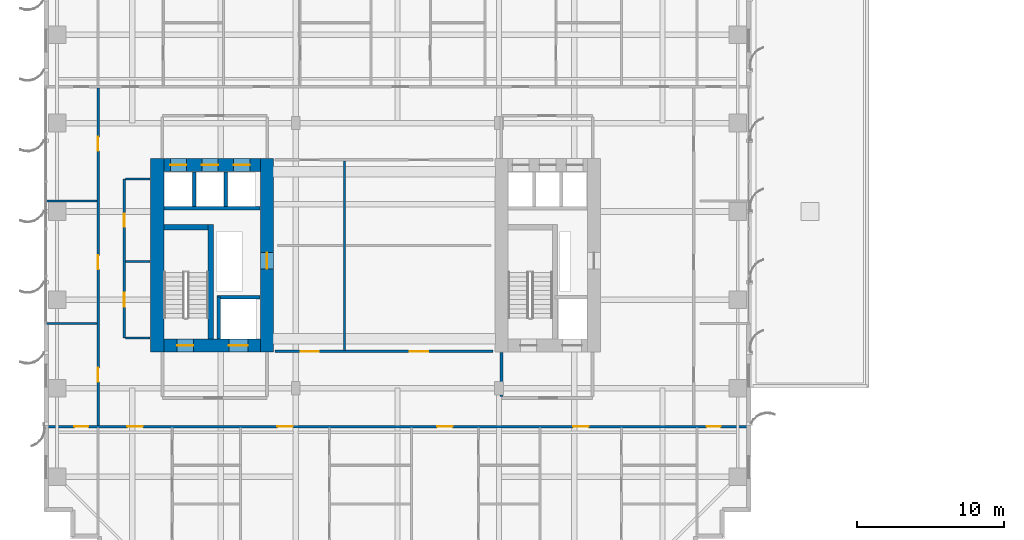
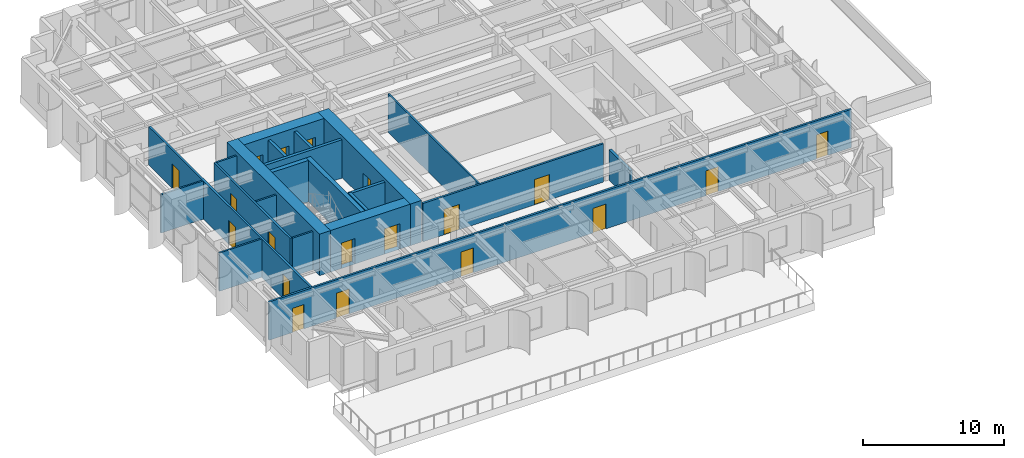
# One storey, part 12 of 21: 22 walls, 19 doors, 19 openings.
"""IFC4 building model written with IfcOpenShell, lengths in metres."""

from ifc_helpers import new_model, si_unit, direction, frame, frame_2d, origin, place, context, subcontext, project, spatial, rectangle, extrude, source, transform, mapped, material, layer, layer_set, type_object, element, fill, save


model = new_model("IFC4")

# Units and contexts
model_context = context("Model", 3, precision=1e-05, world=origin(), true_north=direction((0.0, 1.0)))
body_context = subcontext(model_context, "Body", "Model", "MODEL_VIEW")
ifc_project = project(units=[si_unit("LENGTHUNIT", "METRE"), si_unit("AREAUNIT", "SQUARE_METRE"), si_unit("VOLUMEUNIT", "CUBIC_METRE"), si_unit("PLANEANGLEUNIT", "RADIAN"), si_unit("MASSUNIT", "GRAM", prefix="KILO")], contexts=[model_context])

# Site, building, storey
site_placement = place(None, origin())
site = spatial("IfcSite", under=ifc_project, at=site_placement, CompositionType="ELEMENT")
building_placement = place(site_placement, origin())
building = spatial("IfcBuilding", under=site, at=building_placement, Name="Khoralis Quay Care Tower", CompositionType="ELEMENT")
storey_placement = place(building_placement, frame((0.0, 0.0, 22.5)))
storey = spatial("IfcBuildingStorey", under=building, at=storey_placement, Name="L05", CompositionType="ELEMENT", Elevation=22.5)

# Walls
ifc_material_1 = material(Name="Gypsum plasterboard on acoustic metal stud")
ifc_layer_1 = layer(ifc_material_1, 0.199951171875)
ifc_layer_set_1 = layer_set([ifc_layer_1], Name="Gypsum plasterboard on acoustic metal stud")
wall_type_1 = type_object("IfcWallType", Name="WL-COMP-200", PredefinedType="PARTITIONING", material=ifc_layer_set_1)
wall_1_placement = place(storey_placement, frame((31.050048828125, 11.445068359375, 0.0), z_axis=(0.0, 0.0, 1.0), x_axis=(0.0, 1.0, 0.0)))
element("IfcWall", 1, at=wall_1_placement, inside=storey, type_object=wall_type_1, Name="L05 East Firefighting Lobby West Wall", PredefinedType="PARTITIONING", context=body_context, shape_type="SweptSolid", body=[
    extrude(rectangle(XDim=2.98486328125, YDim=0.199951171875, at=frame_2d((1.492431640625, 0.0))), origin(), (0.0, 0.0, 1.0), 2.625),
])
ifc_material_2 = material(Name="Concrete C80/95", Category="concrete")
ifc_layer_2 = layer(ifc_material_2, 0.89990234375)
ifc_layer_set_2 = layer_set([ifc_layer_2], Name="Concrete C80/95")
wall_type_2 = type_object("IfcWallType", Name="WL-CORE-900", PredefinedType="SHEAR", material=ifc_layer_set_2)
wall_2_placement = place(storey_placement, frame((7.699951171875, 14.449951171875, 0.0), z_axis=(0.0, 0.0, 1.0), x_axis=(0.0, 1.0, 0.0)))
element("IfcWall", 2, at=wall_2_placement, inside=storey, type_object=wall_type_2, Name="L05 WCORE West Shear Wall", PredefinedType="SHEAR", context=body_context, shape_type="SweptSolid", body=[
    extrude(rectangle(XDim=13.150146484375, YDim=0.89990234375, at=frame_2d((6.5751953125, 0.0))), origin(), (0.0, 0.0, 1.0), 3.60009765625),
])

# Wall, opening, door
wall_3_placement = place(storey_placement, frame((15.14990234375, 14.449951171875, 0.0), z_axis=(0.0, 0.0, 1.0), x_axis=(0.0, 1.0, 0.0)))
wall_3 = element("IfcWall", 3, at=wall_3_placement, inside=storey, type_object=wall_type_2, Name="L05 WCORE East Shear Wall", PredefinedType="SHEAR", context=body_context, shape_type="SweptSolid", body=[
    extrude(rectangle(XDim=13.150146484375, YDim=0.89990234375, at=frame_2d((6.5751953125, 0.0))), origin(), (0.0, 0.0, 1.0), 3.60009765625),
])
opening_1_placement = place(wall_3_placement, frame((5.64990234375, 0.0, 0.0)))
opening_1 = element("IfcOpeningElement", 4, at=opening_1_placement, cuts=wall_3, Name="Opening SD1", PredefinedType="OPENING", context=body_context, shape_type="SweptSolid", body=[
    extrude(rectangle(XDim=1.10009765625, YDim=2.199951171875, at=frame_2d((0.550048828125, 1.10009765625))), frame((0.0, 0.4599609375, 0.0), z_axis=(0.0, -1.0, 0.0), x_axis=(1.0, 0.0, 0.0)), (0.0, 0.0, 1.0), 0.919921875),
])
ifc_material_3 = material(Name="Fire-rated painted steel", Category="steel")
door_type_1 = type_object("IfcDoorType", Name="DR-STAIR-1100X2200", OperationType="NOTDEFINED", PredefinedType="DOOR", material=ifc_material_3)
shared_shape_1 = source(origin(), body_context, "Body", "SweptSolid", [
    extrude(rectangle(XDim=1.10009765625, YDim=2.199951171875, at=frame_2d((0.550048828125, 1.10009765625))), frame((0.0, 0.02490234375, 0.0), z_axis=(0.0, -1.0, 0.0), x_axis=(1.0, 0.0, 0.0)), (0.0, 0.0, 1.0), 0.050048828125),
])
door_1_placement = place(opening_1_placement, origin())
door_1 = element("IfcDoor", 5, at=door_1_placement, inside=storey, type_object=door_type_1, Name="L05 West MEP Riser Door", OperationType="SINGLE_SWING_LEFT", OverallHeight=2.199951171875, OverallWidth=1.10009765625, PredefinedType="DOOR", context=body_context, shape_type="MappedRepresentation", body=[
    mapped(shared_shape_1, transform((0.0, 0.0, 0.0), scale=1.0)),
])
fill(opening_1, door_1)

# Wall, openings, doors
wall_4_placement = place(storey_placement, frame((8.14990234375, 14.89990234375, 0.0), z_axis=(0.0, 0.0, 1.0), x_axis=(1.0, 0.0, 0.0)))
wall_4 = element("IfcWall", 6, at=wall_4_placement, inside=storey, type_object=wall_type_2, Name="L05 WCORE South Shear Wall", PredefinedType="SHEAR", context=body_context, shape_type="SweptSolid", body=[
    extrude(rectangle(XDim=6.550048828125, YDim=0.89990234375, at=frame_2d((3.27490234375, 0.0))), origin(), (0.0, 0.0, 1.0), 3.60009765625),
])
opening_2_placement = place(wall_4_placement, frame((0.89990234375, 0.0, 0.0)))
opening_2 = element("IfcOpeningElement", 7, at=opening_2_placement, cuts=wall_4, Name="Opening SD1", PredefinedType="OPENING", context=body_context, shape_type="SweptSolid", body=[
    extrude(rectangle(XDim=1.10009765625, YDim=2.199951171875, at=frame_2d((0.550048828125, 1.10009765625))), frame((0.0, 0.4599609375, 0.0), z_axis=(0.0, -1.0, 0.0), x_axis=(1.0, 0.0, 0.0)), (0.0, 0.0, 1.0), 0.919921875),
])
opening_3_placement = place(wall_4_placement, frame((4.39990234375, 0.0, 0.0)))
opening_3 = element("IfcOpeningElement", 8, at=opening_3_placement, cuts=wall_4, Name="Opening LD2", PredefinedType="OPENING", context=body_context, shape_type="SweptSolid", body=[
    extrude(rectangle(XDim=1.300048828125, YDim=2.199951171875, at=frame_2d((0.64990234375, 1.10009765625))), frame((0.0, 0.4599609375, 0.0), z_axis=(0.0, -1.0, 0.0), x_axis=(1.0, 0.0, 0.0)), (0.0, 0.0, 1.0), 0.919921875),
])
door_2_placement = place(opening_2_placement, origin())
door_2 = element("IfcDoor", 9, at=door_2_placement, inside=storey, type_object=door_type_1, Name="L05 Stair ST-T1 Fire Door", OperationType="SINGLE_SWING_LEFT", OverallHeight=2.199951171875, OverallWidth=1.10009765625, PredefinedType="DOOR", context=body_context, shape_type="MappedRepresentation", body=[
    mapped(shared_shape_1, transform((0.0, 0.0, 0.0), scale=1.0)),
])
fill(opening_2, door_2)
ifc_material_4 = material(Name="Brushed stainless steel", Category="steel")
door_type_2 = type_object("IfcDoorType", Name="DR-LIFT-1300X2200", OperationType="SLIDING_TO_RIGHT", PredefinedType="DOOR", material=ifc_material_4)
shared_shape_2 = source(origin(), body_context, "Body", "SweptSolid", [
    extrude(rectangle(XDim=1.300048828125, YDim=2.199951171875, at=frame_2d((0.64990234375, 1.10009765625))), frame((0.0, 0.02490234375, 0.0), z_axis=(0.0, -1.0, 0.0), x_axis=(1.0, 0.0, 0.0)), (0.0, 0.0, 1.0), 0.050048828125),
])
door_3_placement = place(opening_3_placement, origin())
door_3 = element("IfcDoor", 10, at=door_3_placement, inside=storey, type_object=door_type_2, Name="L05 Firefighting Lift FFL-1 Landing Door", OperationType="SLIDING_TO_RIGHT", OverallHeight=2.199951171875, OverallWidth=1.300048828125, PredefinedType="DOOR", context=body_context, shape_type="MappedRepresentation", body=[
    mapped(shared_shape_2, transform((0.0, 0.0, 0.0), scale=1.0)),
])
fill(opening_3, door_3)

wall_5_placement = place(storey_placement, frame((8.14990234375, 27.14990234375, 0.0), z_axis=(0.0, 0.0, 1.0), x_axis=(1.0, 0.0, 0.0)))
wall_5 = element("IfcWall", 11, at=wall_5_placement, inside=storey, type_object=wall_type_2, Name="L05 WCORE North Shear Wall", PredefinedType="SHEAR", context=body_context, shape_type="SweptSolid", body=[
    extrude(rectangle(XDim=6.550048828125, YDim=0.89990234375, at=frame_2d((3.27490234375, 0.0))), origin(), (0.0, 0.0, 1.0), 3.60009765625),
])
opening_4_placement = place(wall_5_placement, frame((0.429931640625, 0.0, 0.0)))
opening_4 = element("IfcOpeningElement", 12, at=opening_4_placement, cuts=wall_5, Name="Opening LD1", PredefinedType="OPENING", context=body_context, shape_type="SweptSolid", body=[
    extrude(rectangle(XDim=1.10009765625, YDim=2.199951171875, at=frame_2d((0.550048828125, 1.10009765625))), frame((0.0, 0.4599609375, 0.0), z_axis=(0.0, -1.0, 0.0), x_axis=(1.0, 0.0, 0.0)), (0.0, 0.0, 1.0), 0.919921875),
])
opening_5_placement = place(wall_5_placement, frame((2.570068359375, 0.0, 0.0)))
opening_5 = element("IfcOpeningElement", 13, at=opening_5_placement, cuts=wall_5, Name="Opening LD1", PredefinedType="OPENING", context=body_context, shape_type="SweptSolid", body=[
    extrude(rectangle(XDim=1.10009765625, YDim=2.199951171875, at=frame_2d((0.550048828125, 1.10009765625))), frame((0.0, 0.4599609375, 0.0), z_axis=(0.0, -1.0, 0.0), x_axis=(1.0, 0.0, 0.0)), (0.0, 0.0, 1.0), 0.919921875),
])
opening_6_placement = place(wall_5_placement, frame((4.72998046875, 0.0, 0.0)))
opening_6 = element("IfcOpeningElement", 14, at=opening_6_placement, cuts=wall_5, Name="Opening LD1", PredefinedType="OPENING", context=body_context, shape_type="SweptSolid", body=[
    extrude(rectangle(XDim=1.10009765625, YDim=2.199951171875, at=frame_2d((0.550048828125, 1.10009765625))), frame((0.0, 0.4599609375, 0.0), z_axis=(0.0, -1.0, 0.0), x_axis=(1.0, 0.0, 0.0)), (0.0, 0.0, 1.0), 0.919921875),
])
door_type_3 = type_object("IfcDoorType", Name="DR-LIFT-1100X2200", OperationType="SLIDING_TO_LEFT", PredefinedType="DOOR", material=ifc_material_4)
shared_shape_3 = source(origin(), body_context, "Body", "SweptSolid", [
    extrude(rectangle(XDim=1.10009765625, YDim=2.199951171875, at=frame_2d((0.550048828125, 1.10009765625))), frame((0.0, 0.02490234375, 0.0), z_axis=(0.0, -1.0, 0.0), x_axis=(1.0, 0.0, 0.0)), (0.0, 0.0, 1.0), 0.050048828125),
])
door_4_placement = place(opening_4_placement, origin())
door_4 = element("IfcDoor", 15, at=door_4_placement, inside=storey, type_object=door_type_3, Name="L05 Lift PLL1 Landing Door", OperationType="SLIDING_TO_LEFT", OverallHeight=2.199951171875, OverallWidth=1.10009765625, PredefinedType="DOOR", context=body_context, shape_type="MappedRepresentation", body=[
    mapped(shared_shape_3, transform((0.0, 0.0, 0.0), scale=1.0)),
])
fill(opening_4, door_4)
door_5_placement = place(opening_5_placement, origin())
door_5 = element("IfcDoor", 16, at=door_5_placement, inside=storey, type_object=door_type_3, Name="L05 Lift PLM1 Landing Door", OperationType="SLIDING_TO_LEFT", OverallHeight=2.199951171875, OverallWidth=1.10009765625, PredefinedType="DOOR", context=body_context, shape_type="MappedRepresentation", body=[
    mapped(shared_shape_3, transform((0.0, 0.0, 0.0), scale=1.0)),
])
fill(opening_5, door_5)
door_6_placement = place(opening_6_placement, origin())
door_6 = element("IfcDoor", 17, at=door_6_placement, inside=storey, type_object=door_type_3, Name="L05 Lift PLH1 Landing Door", OperationType="SLIDING_TO_LEFT", OverallHeight=2.199951171875, OverallWidth=1.10009765625, PredefinedType="DOOR", context=body_context, shape_type="MappedRepresentation", body=[
    mapped(shared_shape_3, transform((0.0, 0.0, 0.0), scale=1.0)),
])
fill(opening_6, door_6)

ifc_layer_3 = layer(ifc_material_1, 0.1650390625)
ifc_layer_set_3 = layer_set([ifc_layer_3], Name="Gypsum plasterboard on acoustic metal stud")
wall_type_3 = type_object("IfcWallType", Name="WL-CORR-165", PredefinedType="PARTITIONING", material=ifc_layer_set_3)
wall_6_placement = place(storey_placement, frame((5.449951171875, 15.39990234375, 0.0), z_axis=(0.0, 0.0, 1.0), x_axis=(0.0, 1.0, 0.0)))
wall_6 = element("IfcWall", 18, at=wall_6_placement, inside=storey, type_object=wall_type_3, Name="L05 West Core Service Flank Wall", PredefinedType="PARTITIONING", context=body_context, shape_type="SweptSolid", body=[
    extrude(rectangle(XDim=10.800048828125, YDim=0.1650390625, at=frame_2d((5.39990234375, 0.0))), origin(), (0.0, 0.0, 1.0), 3.320068359375),
])
opening_7_placement = place(wall_6_placement, frame((2.125, 0.0, 0.0)))
opening_7 = element("IfcOpeningElement", 19, at=opening_7_placement, cuts=wall_6, Name="Opening ID1", PredefinedType="OPENING", context=body_context, shape_type="SweptSolid", body=[
    extrude(rectangle(XDim=0.949951171875, YDim=2.10009765625, at=frame_2d((0.47509765625, 1.050048828125))), frame((0.0, 0.092529296875, 0.0), z_axis=(0.0, -1.0, 0.0), x_axis=(1.0, 0.0, 0.0)), (0.0, 0.0, 1.0), 0.18505859375),
])
opening_8_placement = place(wall_6_placement, frame((7.550048828125, 0.0, 0.0)))
opening_8 = element("IfcOpeningElement", 20, at=opening_8_placement, cuts=wall_6, Name="Opening WD1", PredefinedType="OPENING", context=body_context, shape_type="SweptSolid", body=[
    extrude(rectangle(XDim=0.89990234375, YDim=2.10009765625, at=frame_2d((0.449951171875, 1.050048828125))), frame((0.0, 0.092529296875, 0.0), z_axis=(0.0, -1.0, 0.0), x_axis=(1.0, 0.0, 0.0)), (0.0, 0.0, 1.0), 0.18505859375),
])
ifc_material_5 = material(Name="Acoustic hardwood timber", Category="wood")
door_type_4 = type_object("IfcDoorType", Name="DR-BATH-900X2100", OperationType="NOTDEFINED", PredefinedType="DOOR", material=ifc_material_5)
shared_shape_4 = source(origin(), body_context, "Body", "SweptSolid", [
    extrude(rectangle(XDim=0.89990234375, YDim=2.10009765625, at=frame_2d((0.449951171875, 1.050048828125))), frame((0.0, 0.02490234375, 0.0), z_axis=(0.0, -1.0, 0.0), x_axis=(1.0, 0.0, 0.0)), (0.0, 0.0, 1.0), 0.050048828125),
])
door_7_placement = place(opening_8_placement, frame((0.89990234375, 0.0, 0.0), z_axis=(0.0, 0.0, 1.0), x_axis=(-1.0, 0.0, 0.0)))
door_7 = element("IfcDoor", 21, at=door_7_placement, inside=storey, type_object=door_type_4, Name="L05 Public Accessible WC Door", OperationType="SINGLE_SWING_LEFT", OverallHeight=2.10009765625, OverallWidth=0.89990234375, PredefinedType="DOOR", context=body_context, shape_type="MappedRepresentation", body=[
    mapped(shared_shape_4, transform((0.0, 0.0, 0.0), scale=1.0)),
])
fill(opening_8, door_7)
door_type_5 = type_object("IfcDoorType", Name="DR-ROOM-950X2100", OperationType="NOTDEFINED", PredefinedType="DOOR", material=ifc_material_5)
shared_shape_5 = source(origin(), body_context, "Body", "SweptSolid", [
    extrude(rectangle(XDim=0.949951171875, YDim=2.10009765625, at=frame_2d((0.47509765625, 1.050048828125))), frame((0.0, 0.02490234375, 0.0), z_axis=(0.0, -1.0, 0.0), x_axis=(1.0, 0.0, 0.0)), (0.0, 0.0, 1.0), 0.050048828125),
])
door_8_placement = place(opening_7_placement, frame((0.949951171875, 0.0, 0.0), z_axis=(0.0, 0.0, 1.0), x_axis=(-1.0, 0.0, 0.0)))
door_8 = element("IfcDoor", 22, at=door_8_placement, inside=storey, type_object=door_type_5, Name="L05 Housekeeping Linen Store Door", OperationType="SINGLE_SWING_RIGHT", OverallHeight=2.10009765625, OverallWidth=0.949951171875, PredefinedType="DOOR", context=body_context, shape_type="MappedRepresentation", body=[
    mapped(shared_shape_5, transform((0.0, 0.0, 0.0), scale=1.0)),
])
fill(opening_7, door_8)

wall_7_placement = place(storey_placement, frame((0.14501953125, 9.39990234375, 0.0), z_axis=(0.0, 0.0, 1.0), x_axis=(1.0, 0.0, 0.0)))
wall_7 = element("IfcWall", 23, at=wall_7_placement, inside=storey, type_object=wall_type_3, Name="L05 South Main Corridor Wall", PredefinedType="PARTITIONING", context=body_context, shape_type="SweptSolid", body=[
    extrude(rectangle(XDim=47.7099609375, YDim=0.1650390625, at=frame_2d((23.85498046875, 0.0))), origin(), (0.0, 0.0, 1.0), 3.320068359375),
])
opening_9_placement = place(wall_7_placement, frame((5.527099609375, 0.0, 0.0)))
opening_9 = element("IfcOpeningElement", 24, at=opening_9_placement, cuts=wall_7, Name="Opening UD1", PredefinedType="OPENING", context=body_context, shape_type="SweptSolid", body=[
    extrude(rectangle(XDim=1.050048828125, YDim=2.14990234375, at=frame_2d((0.52490234375, 1.074951171875))), frame((0.0, 0.092529296875, 0.0), z_axis=(0.0, -1.0, 0.0), x_axis=(1.0, 0.0, 0.0)), (0.0, 0.0, 1.0), 0.18505859375),
])
opening_10_placement = place(wall_7_placement, frame((15.7060546875, 0.0, 0.0)))
opening_10 = element("IfcOpeningElement", 25, at=opening_10_placement, cuts=wall_7, Name="Opening UD1", PredefinedType="OPENING", context=body_context, shape_type="SweptSolid", body=[
    extrude(rectangle(XDim=1.050048828125, YDim=2.14990234375, at=frame_2d((0.52490234375, 1.074951171875))), frame((0.0, 0.092529296875, 0.0), z_axis=(0.0, -1.0, 0.0), x_axis=(1.0, 0.0, 0.0)), (0.0, 0.0, 1.0), 0.18505859375),
])
opening_11_placement = place(wall_7_placement, frame((26.556884765625, 0.0, 0.0)))
opening_11 = element("IfcOpeningElement", 26, at=opening_11_placement, cuts=wall_7, Name="Opening UD1", PredefinedType="OPENING", context=body_context, shape_type="SweptSolid", body=[
    extrude(rectangle(XDim=1.050048828125, YDim=2.14990234375, at=frame_2d((0.52490234375, 1.074951171875))), frame((0.0, 0.092529296875, 0.0), z_axis=(0.0, -1.0, 0.0), x_axis=(1.0, 0.0, 0.0)), (0.0, 0.0, 1.0), 0.18505859375),
])
opening_12_placement = place(wall_7_placement, frame((35.776611328125, 0.0, 0.0)))
opening_12 = element("IfcOpeningElement", 27, at=opening_12_placement, cuts=wall_7, Name="Opening UD1", PredefinedType="OPENING", context=body_context, shape_type="SweptSolid", body=[
    extrude(rectangle(XDim=1.050048828125, YDim=2.14990234375, at=frame_2d((0.52490234375, 1.074951171875))), frame((0.0, 0.092529296875, 0.0), z_axis=(0.0, -1.0, 0.0), x_axis=(1.0, 0.0, 0.0)), (0.0, 0.0, 1.0), 0.18505859375),
])
opening_13_placement = place(wall_7_placement, frame((1.919921875, 0.0, 0.0)))
opening_13 = element("IfcOpeningElement", 28, at=opening_13_placement, cuts=wall_7, Name="Opening ID1", PredefinedType="OPENING", context=body_context, shape_type="SweptSolid", body=[
    extrude(rectangle(XDim=0.949951171875, YDim=2.10009765625, at=frame_2d((0.47509765625, 1.050048828125))), frame((0.0, 0.092529296875, 0.0), z_axis=(0.0, -1.0, 0.0), x_axis=(1.0, 0.0, 0.0)), (0.0, 0.0, 1.0), 0.18505859375),
])
opening_14_placement = place(wall_7_placement, frame((44.840087890625, 0.0, 0.0)))
opening_14 = element("IfcOpeningElement", 29, at=opening_14_placement, cuts=wall_7, Name="Opening ID1", PredefinedType="OPENING", context=body_context, shape_type="SweptSolid", body=[
    extrude(rectangle(XDim=0.949951171875, YDim=2.10009765625, at=frame_2d((0.47509765625, 1.050048828125))), frame((0.0, 0.092529296875, 0.0), z_axis=(0.0, -1.0, 0.0), x_axis=(1.0, 0.0, 0.0)), (0.0, 0.0, 1.0), 0.18505859375),
])
door_9_placement = place(opening_13_placement, frame((0.949951171875, 0.0, 0.0), z_axis=(0.0, 0.0, 1.0), x_axis=(-1.0, 0.0, 0.0)))
door_9 = element("IfcDoor", 30, at=door_9_placement, inside=storey, type_object=door_type_5, Name="L05 SW Corner Door", OperationType="SINGLE_SWING_LEFT", OverallHeight=2.10009765625, OverallWidth=0.949951171875, PredefinedType="DOOR", context=body_context, shape_type="MappedRepresentation", body=[
    mapped(shared_shape_5, transform((0.0, 0.0, 0.0), scale=1.0)),
])
fill(opening_13, door_9)
door_10_placement = place(opening_14_placement, frame((0.949951171875, 0.0, 0.0), z_axis=(0.0, 0.0, 1.0), x_axis=(-1.0, 0.0, 0.0)))
door_10 = element("IfcDoor", 31, at=door_10_placement, inside=storey, type_object=door_type_5, Name="L05 SE Corner Door", OperationType="SINGLE_SWING_RIGHT", OverallHeight=2.10009765625, OverallWidth=0.949951171875, PredefinedType="DOOR", context=body_context, shape_type="MappedRepresentation", body=[
    mapped(shared_shape_5, transform((0.0, 0.0, 0.0), scale=1.0)),
])
fill(opening_14, door_10)
door_type_6 = type_object("IfcDoorType", Name="DR-SUITE-1050X2150", OperationType="NOTDEFINED", PredefinedType="DOOR", material=ifc_material_5)
shared_shape_6 = source(origin(), body_context, "Body", "SweptSolid", [
    extrude(rectangle(XDim=1.050048828125, YDim=2.14990234375, at=frame_2d((0.52490234375, 1.074951171875))), frame((0.0, 0.02490234375, 0.0), z_axis=(0.0, -1.0, 0.0), x_axis=(1.0, 0.0, 0.0)), (0.0, 0.0, 1.0), 0.050048828125),
])
door_11_placement = place(opening_9_placement, frame((1.050048828125, 0.0, 0.0), z_axis=(0.0, 0.0, 1.0), x_axis=(-1.0, 0.0, 0.0)))
door_11 = element("IfcDoor", 32, at=door_11_placement, inside=storey, type_object=door_type_6, Name="L05 Apartment SB0 Entrance Door", OperationType="SINGLE_SWING_LEFT", OverallHeight=2.14990234375, OverallWidth=1.050048828125, PredefinedType="DOOR", context=body_context, shape_type="MappedRepresentation", body=[
    mapped(shared_shape_6, transform((0.0, 0.0, 0.0), scale=1.0)),
])
fill(opening_9, door_11)
door_12_placement = place(opening_10_placement, frame((1.050048828125, 0.0, 0.0), z_axis=(0.0, 0.0, 1.0), x_axis=(-1.0, 0.0, 0.0)))
door_12 = element("IfcDoor", 33, at=door_12_placement, inside=storey, type_object=door_type_6, Name="L05 Apartment SB1 Entrance Door", OperationType="SINGLE_SWING_RIGHT", OverallHeight=2.14990234375, OverallWidth=1.050048828125, PredefinedType="DOOR", context=body_context, shape_type="MappedRepresentation", body=[
    mapped(shared_shape_6, transform((0.0, 0.0, 0.0), scale=1.0)),
])
fill(opening_10, door_12)
door_13_placement = place(opening_11_placement, frame((1.050048828125, 0.0, 0.0), z_axis=(0.0, 0.0, 1.0), x_axis=(-1.0, 0.0, 0.0)))
door_13 = element("IfcDoor", 34, at=door_13_placement, inside=storey, type_object=door_type_6, Name="L05 Apartment SB2 Entrance Door", OperationType="SINGLE_SWING_LEFT", OverallHeight=2.14990234375, OverallWidth=1.050048828125, PredefinedType="DOOR", context=body_context, shape_type="MappedRepresentation", body=[
    mapped(shared_shape_6, transform((0.0, 0.0, 0.0), scale=1.0)),
])
fill(opening_11, door_13)
door_14_placement = place(opening_12_placement, frame((1.050048828125, 0.0, 0.0), z_axis=(0.0, 0.0, 1.0), x_axis=(-1.0, 0.0, 0.0)))
door_14 = element("IfcDoor", 35, at=door_14_placement, inside=storey, type_object=door_type_6, Name="L05 Apartment SB3 Entrance Door", OperationType="SINGLE_SWING_RIGHT", OverallHeight=2.14990234375, OverallWidth=1.050048828125, PredefinedType="DOOR", context=body_context, shape_type="MappedRepresentation", body=[
    mapped(shared_shape_6, transform((0.0, 0.0, 0.0), scale=1.0)),
])
fill(opening_12, door_14)

wall_8_placement = place(storey_placement, frame((3.679931640625, 9.4775390625, 0.0), z_axis=(0.0, 0.0, 1.0), x_axis=(0.0, 1.0, 0.0)))
wall_8 = element("IfcWall", 36, at=wall_8_placement, inside=storey, type_object=wall_type_3, Name="L05 West Loop Corridor Wall", PredefinedType="PARTITIONING", context=body_context, shape_type="SweptSolid", body=[
    extrude(rectangle(XDim=22.905029296875, YDim=0.1650390625, at=frame_2d((11.45263671875, 0.0))), origin(), (0.0, 0.0, 1.0), 3.320068359375),
])
opening_15_placement = place(wall_8_placement, frame((2.947509765625, 0.0, 0.0)))
opening_15 = element("IfcOpeningElement", 37, at=opening_15_placement, cuts=wall_8, Name="Opening ID1", PredefinedType="OPENING", context=body_context, shape_type="SweptSolid", body=[
    extrude(rectangle(XDim=0.949951171875, YDim=2.10009765625, at=frame_2d((0.47509765625, 1.050048828125))), frame((0.0, 0.092529296875, 0.0), z_axis=(0.0, -1.0, 0.0), x_axis=(1.0, 0.0, 0.0)), (0.0, 0.0, 1.0), 0.18505859375),
])
opening_16_placement = place(wall_8_placement, frame((10.597412109375, 0.0, 0.0)))
opening_16 = element("IfcOpeningElement", 38, at=opening_16_placement, cuts=wall_8, Name="Opening ID1", PredefinedType="OPENING", context=body_context, shape_type="SweptSolid", body=[
    extrude(rectangle(XDim=0.949951171875, YDim=2.10009765625, at=frame_2d((0.47509765625, 1.050048828125))), frame((0.0, 0.092529296875, 0.0), z_axis=(0.0, -1.0, 0.0), x_axis=(1.0, 0.0, 0.0)), (0.0, 0.0, 1.0), 0.18505859375),
])
opening_17_placement = place(wall_8_placement, frame((18.62744140625, 0.0, 0.0)))
opening_17 = element("IfcOpeningElement", 39, at=opening_17_placement, cuts=wall_8, Name="Opening ID1", PredefinedType="OPENING", context=body_context, shape_type="SweptSolid", body=[
    extrude(rectangle(XDim=0.949951171875, YDim=2.10009765625, at=frame_2d((0.47509765625, 1.050048828125))), frame((0.0, 0.092529296875, 0.0), z_axis=(0.0, -1.0, 0.0), x_axis=(1.0, 0.0, 0.0)), (0.0, 0.0, 1.0), 0.18505859375),
])
door_15_placement = place(opening_15_placement, origin())
door_15 = element("IfcDoor", 40, at=door_15_placement, inside=storey, type_object=door_type_5, Name="L05 Therapy Consultation Room Door", OperationType="SINGLE_SWING_LEFT", OverallHeight=2.10009765625, OverallWidth=0.949951171875, PredefinedType="DOOR", context=body_context, shape_type="MappedRepresentation", body=[
    mapped(shared_shape_5, transform((0.0, 0.0, 0.0), scale=1.0)),
])
fill(opening_15, door_15)
door_16_placement = place(opening_16_placement, origin())
door_16 = element("IfcDoor", 41, at=door_16_placement, inside=storey, type_object=door_type_5, Name="L05 Assisted Activity Lounge Door", OperationType="SINGLE_SWING_RIGHT", OverallHeight=2.10009765625, OverallWidth=0.949951171875, PredefinedType="DOOR", context=body_context, shape_type="MappedRepresentation", body=[
    mapped(shared_shape_5, transform((0.0, 0.0, 0.0), scale=1.0)),
])
fill(opening_16, door_16)
door_17_placement = place(opening_17_placement, origin())
door_17 = element("IfcDoor", 42, at=door_17_placement, inside=storey, type_object=door_type_5, Name="L05 Nurse Charting Office Door", OperationType="SINGLE_SWING_LEFT", OverallHeight=2.10009765625, OverallWidth=0.949951171875, PredefinedType="DOOR", context=body_context, shape_type="MappedRepresentation", body=[
    mapped(shared_shape_5, transform((0.0, 0.0, 0.0), scale=1.0)),
])
fill(opening_17, door_17)

wall_9_placement = place(storey_placement, frame((15.699951171875, 14.5, 0.0), z_axis=(0.0, 0.0, 1.0), x_axis=(1.0, 0.0, 0.0)))
wall_9 = element("IfcWall", 43, at=wall_9_placement, inside=storey, type_object=wall_type_3, Name="L05 Central Clinical South Wall", PredefinedType="PARTITIONING", context=body_context, shape_type="SweptSolid", body=[
    extrude(rectangle(XDim=14.800048828125, YDim=0.1650390625, at=frame_2d((7.39990234375, 0.0))), origin(), (0.0, 0.0, 1.0), 3.320068359375),
])
opening_18_placement = place(wall_9_placement, frame((1.72509765625, 0.0, 0.0)))
opening_18 = element("IfcOpeningElement", 44, at=opening_18_placement, cuts=wall_9, Name="Opening CD1", PredefinedType="OPENING", context=body_context, shape_type="SweptSolid", body=[
    extrude(rectangle(XDim=1.25, YDim=2.199951171875, at=frame_2d((0.625, 1.10009765625))), frame((0.0, 0.092529296875, 0.0), z_axis=(0.0, -1.0, 0.0), x_axis=(1.0, 0.0, 0.0)), (0.0, 0.0, 1.0), 0.18505859375),
])
opening_19_placement = place(wall_9_placement, frame((9.125, 0.0, 0.0)))
opening_19 = element("IfcOpeningElement", 45, at=opening_19_placement, cuts=wall_9, Name="Opening CD1", PredefinedType="OPENING", context=body_context, shape_type="SweptSolid", body=[
    extrude(rectangle(XDim=1.25, YDim=2.199951171875, at=frame_2d((0.625, 1.10009765625))), frame((0.0, 0.092529296875, 0.0), z_axis=(0.0, -1.0, 0.0), x_axis=(1.0, 0.0, 0.0)), (0.0, 0.0, 1.0), 0.18505859375),
])
door_type_7 = type_object("IfcDoorType", Name="DR-CARE-1250X2200", OperationType="NOTDEFINED", PredefinedType="DOOR", material=ifc_material_5)
shared_shape_7 = source(origin(), body_context, "Body", "SweptSolid", [
    extrude(rectangle(XDim=1.25, YDim=2.199951171875, at=frame_2d((0.625, 1.10009765625))), frame((0.0, 0.02490234375, 0.0), z_axis=(0.0, -1.0, 0.0), x_axis=(1.0, 0.0, 0.0)), (0.0, 0.0, 1.0), 0.050048828125),
])
door_18_placement = place(opening_18_placement, origin())
door_18 = element("IfcDoor", 46, at=door_18_placement, inside=storey, type_object=door_type_7, Name="L05 Nurse Station Door", OperationType="SINGLE_SWING_LEFT", OverallHeight=2.199951171875, OverallWidth=1.25, PredefinedType="DOOR", context=body_context, shape_type="MappedRepresentation", body=[
    mapped(shared_shape_7, transform((0.0, 0.0, 0.0), scale=1.0)),
])
fill(opening_18, door_18)
door_19_placement = place(opening_19_placement, origin())
door_19 = element("IfcDoor", 47, at=door_19_placement, inside=storey, type_object=door_type_7, Name="L05 Treatment Clinic Door", OperationType="SINGLE_SWING_RIGHT", OverallHeight=2.199951171875, OverallWidth=1.25, PredefinedType="DOOR", context=body_context, shape_type="MappedRepresentation", body=[
    mapped(shared_shape_7, transform((0.0, 0.0, 0.0), scale=1.0)),
])
fill(opening_19, door_19)

# Walls
ifc_material_6 = material(Name="Moisture-resistant gypsum and ceramic tile")
ifc_layer_4 = layer(ifc_material_6, 0.280029296875)
ifc_layer_set_4 = layer_set([ifc_layer_4], Name="Moisture-resistant gypsum and ceramic tile")
wall_type_4 = type_object("IfcWallType", Name="WL-PLUMB-280", PredefinedType="PLUMBINGWALL", material=ifc_layer_set_4)
wall_10_placement = place(storey_placement, frame((5.527587890625, 20.60009765625, 0.0), z_axis=(0.0, 0.0, 1.0), x_axis=(1.0, 0.0, 0.0)))
element("IfcWall", 48, at=wall_10_placement, inside=storey, type_object=wall_type_4, Name="L05 West Flank Divider 1", PredefinedType="PLUMBINGWALL", context=body_context, shape_type="SweptSolid", body=[
    extrude(rectangle(XDim=1.682373046875, YDim=0.139892578125, at=frame_2d((0.84130859375, 0.0))), origin(), (0.0, 0.0, 1.0), 3.320068359375),
])
ifc_material_7 = material(Name="Concrete C40/50", Category="concrete")
ifc_layer_5 = layer(ifc_material_7, 0.35009765625)
ifc_layer_set_5 = layer_set([ifc_layer_5], Name="Concrete C40/50")
wall_type_5 = type_object("IfcWallType", Name="WL-SC-CORE-350", PredefinedType="SHEAR", material=ifc_layer_set_5)
wall_11_placement = place(storey_placement, frame((11.324951171875, 15.35009765625, 0.0), z_axis=(0.0, 0.0, 1.0), x_axis=(0.0, 1.0, 0.0)))
element("IfcWall", 49, at=wall_11_placement, inside=storey, type_object=wall_type_5, Name="L05 Stair ST-T1 Shear Baffle Wall East", PredefinedType="SHEAR", context=body_context, shape_type="SweptSolid", body=[
    extrude(rectangle(XDim=7.75, YDim=0.35009765625, at=frame_2d((3.875, 0.0))), origin(), (0.0, 0.0, 1.0), 3.60009765625),
])
wall_12_placement = place(storey_placement, frame((8.14990234375, 22.925048828125, 0.0), z_axis=(0.0, 0.0, 1.0), x_axis=(1.0, 0.0, 0.0)))
element("IfcWall", 50, at=wall_12_placement, inside=storey, type_object=wall_type_5, Name="L05 Stair ST-T1 Shear Baffle Wall North", PredefinedType="SHEAR", context=body_context, shape_type="SweptSolid", body=[
    extrude(rectangle(XDim=3.0, YDim=0.35009765625, at=frame_2d((1.5, 0.0))), origin(), (0.0, 0.0, 1.0), 3.60009765625),
])
ifc_layer_6 = layer(ifc_material_1, 0.239990234375)
ifc_layer_set_6 = layer_set([ifc_layer_6], Name="Gypsum plasterboard on acoustic metal stud")
wall_type_6 = type_object("IfcWallType", Name="WL-SHAFT-240", PredefinedType="PARTITIONING", material=ifc_layer_set_6)
wall_13_placement = place(storey_placement, frame((11.8798828125, 15.35009765625, 0.0), z_axis=(0.0, 0.0, 1.0), x_axis=(0.0, 1.0, 0.0)))
element("IfcWall", 51, at=wall_13_placement, inside=storey, type_object=wall_type_6, Name="L05 FFL-1 Shaft Wall West", PredefinedType="PARTITIONING", context=body_context, shape_type="SweptSolid", body=[
    extrude(rectangle(XDim=2.849853515625, YDim=0.239990234375, at=frame_2d((1.4248046875, 0.0))), origin(), (0.0, 0.0, 1.0), 3.320068359375),
])
wall_14_placement = place(storey_placement, frame((11.760009765625, 18.169921875, 0.0), z_axis=(0.0, 0.0, 1.0), x_axis=(1.0, 0.0, 0.0)))
element("IfcWall", 52, at=wall_14_placement, inside=storey, type_object=wall_type_6, Name="L05 FFL-1 Shaft Wall North", PredefinedType="PARTITIONING", context=body_context, shape_type="SweptSolid", body=[
    extrude(rectangle(XDim=2.919921875, YDim=0.239990234375, at=frame_2d((1.4599609375, 0.0))), origin(), (0.0, 0.0, 1.0), 3.320068359375),
])
wall_15_placement = place(storey_placement, frame((8.14990234375, 24.22998046875, 0.0), z_axis=(0.0, 0.0, 1.0), x_axis=(1.0, 0.0, 0.0)))
element("IfcWall", 53, at=wall_15_placement, inside=storey, type_object=wall_type_6, Name="L05 West Passenger Shaft South Wall", PredefinedType="PARTITIONING", context=body_context, shape_type="SweptSolid", body=[
    extrude(rectangle(XDim=6.530029296875, YDim=0.239990234375, at=frame_2d((3.26513671875, 0.0))), origin(), (0.0, 0.0, 1.0), 3.320068359375),
])
for number, where, z_axis, x_axis, name in (
    (54, (10.199951171875, 24.344970703125, 0.0), (0.0, 0.0, 1.0), (0.0, 1.0, 0.0), "L05 West Shaft Divider 1"),
    (55, (12.35009765625, 24.344970703125, 0.0), (0.0, 0.0, 1.0), (0.0, 1.0, 0.0), "L05 West Shaft Divider 2"),
):
    element("IfcWall", number, at=place(storey_placement, frame(where, z_axis=z_axis, x_axis=x_axis)), inside=storey, type_object=wall_type_6, Name=name, PredefinedType="PARTITIONING", context=body_context, shape_type="SweptSolid", body=[
        extrude(rectangle(XDim=2.3349609375, YDim=0.239990234375, at=frame_2d((1.16748046875, 0.0))), origin(), (0.0, 0.0, 1.0), 3.320068359375),
    ])
ifc_layer_7 = layer(ifc_material_1, 0.139892578125)
ifc_layer_set_7 = layer_set([ifc_layer_7], Name="Gypsum plasterboard on acoustic metal stud")
wall_type_7 = type_object("IfcWallType", Name="WL-UNIT-140", PredefinedType="PARTITIONING", material=ifc_layer_set_7)
for number, where, z_axis, x_axis, name in (
    (56, (5.527587890625, 15.39990234375, 0.0), (0.0, 0.0, 1.0), (1.0, 0.0, 0.0), "L05 West Flank South Cap"),
    (57, (5.527587890625, 26.199951171875, 0.0), (0.0, 0.0, 1.0), (1.0, 0.0, 0.0), "L05 West Flank North Cap"),
):
    element("IfcWall", number, at=place(storey_placement, frame(where, z_axis=z_axis, x_axis=x_axis)), inside=storey, type_object=wall_type_7, Name=name, PredefinedType="PARTITIONING", context=body_context, shape_type="SweptSolid", body=[
        extrude(rectangle(XDim=1.682373046875, YDim=0.139892578125, at=frame_2d((0.84130859375, 0.0))), origin(), (0.0, 0.0, 1.0), 3.320068359375),
    ])
for number, where, z_axis, x_axis, name in (
    (58, (0.14501953125, 16.39990234375, 0.0), (0.0, 0.0, 1.0), (1.0, 0.0, 0.0), "L05 WW Divider 1"),
    (59, (0.14501953125, 24.699951171875, 0.0), (0.0, 0.0, 1.0), (1.0, 0.0, 0.0), "L05 WW Divider 2"),
):
    element("IfcWall", number, at=place(storey_placement, frame(where, z_axis=z_axis, x_axis=x_axis)), inside=storey, type_object=wall_type_7, Name=name, PredefinedType="PARTITIONING", context=body_context, shape_type="SweptSolid", body=[
        extrude(rectangle(XDim=3.45751953125, YDim=0.139892578125, at=frame_2d((1.728759765625, 0.0))), origin(), (0.0, 0.0, 1.0), 3.320068359375),
    ])
wall_16_placement = place(storey_placement, frame((20.39990234375, 14.577392578125, 0.0), z_axis=(0.0, 0.0, 1.0), x_axis=(0.0, 1.0, 0.0)))
element("IfcWall", 60, at=wall_16_placement, inside=storey, type_object=wall_type_7, Name="L05 Central Split V", PredefinedType="PARTITIONING", context=body_context, shape_type="SweptSolid", body=[
    extrude(rectangle(XDim=12.84521484375, YDim=0.139892578125, at=frame_2d((6.422607421875, 0.0))), origin(), (0.0, 0.0, 1.0), 3.320068359375),
])

save(model, "model.ifc")
